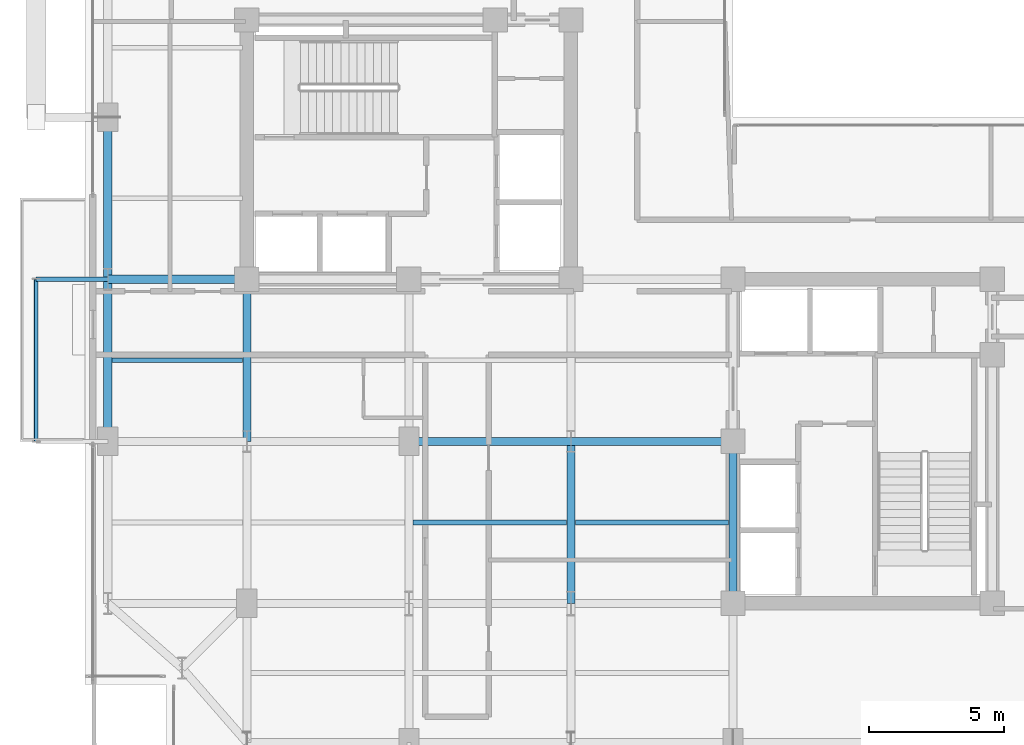
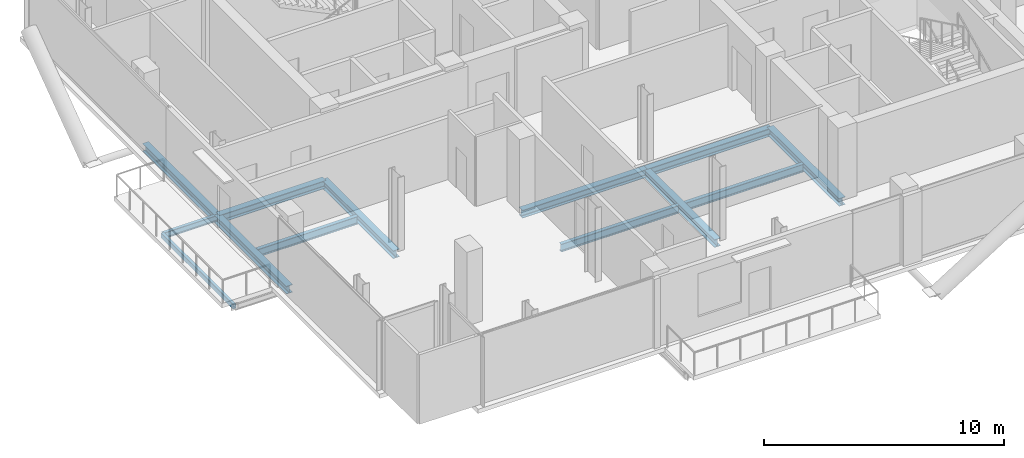
# One storey, part 6 of 21: 13 beams.
"""IFC4 building model written with IfcOpenShell, lengths in metres."""

from ifc_helpers import new_model, si_unit, direction, frame, origin, origin_2d, place, context, subcontext, project, spatial, hollow_rectangle, i_section, extrude, material, material_profile, profile_set, type_object, element, save


model = new_model("IFC4")

# Units and contexts
model_context = context("Model", 3, precision=1e-05, world=origin(), true_north=direction((0.0, 1.0)))
body_context = subcontext(model_context, "Body", "Model", "MODEL_VIEW")
ifc_project = project(units=[si_unit("LENGTHUNIT", "METRE"), si_unit("AREAUNIT", "SQUARE_METRE"), si_unit("VOLUMEUNIT", "CUBIC_METRE"), si_unit("PLANEANGLEUNIT", "RADIAN"), si_unit("MASSUNIT", "GRAM", prefix="KILO"), si_unit("THERMODYNAMICTEMPERATUREUNIT", "KELVIN"), si_unit("POWERUNIT", "WATT")], contexts=[model_context])

# Site, building, storey
site_placement = place(None, origin())
site = spatial("IfcSite", under=ifc_project, at=site_placement, CompositionType="ELEMENT")
building_placement = place(site_placement, origin())
building = spatial("IfcBuilding", under=site, at=building_placement, Name="Svarakhadi Broadcast Tower", CompositionType="ELEMENT")
storey_placement = place(building_placement, frame((0.0, 0.0, 223.64990234375)))
storey = spatial("IfcBuildingStorey", under=building, at=storey_placement, Name="L55", CompositionType="ELEMENT", Elevation=223.64990234375)

# Beams
ifc_material_1 = material(Name="Steel S355J2 (IS 2062 E350C)", Category="steel")
ifc_material_profile_1 = material_profile(ifc_material_1, i_section(OverallWidth=0.179931640625, OverallDepth=0.39990234375, WebThickness=0.008544921875, FlangeThickness=0.013427734375, FilletRadius=0.02099609375, at=origin_2d()), Name="NPB 400x180x66")
ifc_profile_set_1 = profile_set([ifc_material_profile_1], Name="Steel S355J2 (IS 2062 E350C)")
beam_type_1 = type_object("IfcBeamType", Name="Beam_NPB400", PredefinedType="BEAM", material=ifc_profile_set_1)
beam_1_placement = place(storey_placement, frame((1.010009765625, 15.0, -0.409912109375), z_axis=(1.0, 0.0, 0.0), x_axis=(0.0, 1.0, 0.0)))
element("IfcBeam", 1, at=beam_1_placement, inside=storey, type_object=beam_type_1, Name="L55 Secondary Composite Beam SB002", PredefinedType="BEAM", context=body_context, shape_type="SweptSolid", body=[
    extrude(i_section(OverallWidth=0.179931640625, OverallDepth=0.39990234375, WebThickness=0.008544921875, FlangeThickness=0.013427734375, FilletRadius=0.02099609375, at=origin_2d()), origin(), (0.0, 0.0, 1.0), 4.830078125),
])
for number, where, z_axis, x_axis, name in (
    (2, (12.159912109375, 9.0, -0.409912109375), (1.0, 0.0, 0.0), (0.0, 1.0, 0.0), "L55 Secondary Composite Beam SB010"),
    (3, (18.159912109375, 9.0, -0.409912109375), (1.0, 0.0, 0.0), (0.0, 1.0, 0.0), "L55 Secondary Composite Beam SB014"),
):
    element("IfcBeam", number, at=place(storey_placement, frame(where, z_axis=z_axis, x_axis=x_axis)), inside=storey, type_object=beam_type_1, Name=name, PredefinedType="BEAM", context=body_context, shape_type="SweptSolid", body=[
        extrude(i_section(OverallWidth=0.179931640625, OverallDepth=0.39990234375, WebThickness=0.008544921875, FlangeThickness=0.013427734375, FilletRadius=0.02099609375, at=origin_2d()), origin(), (0.0, 0.0, 1.0), 5.68017578125),
    ])
ifc_material_profile_2 = material_profile(ifc_material_1, i_section(OverallWidth=0.300048828125, OverallDepth=0.39990234375, WebThickness=0.013427734375, FlangeThickness=0.02392578125, FilletRadius=0.027099609375, at=origin_2d()), Name="WPB 400x300x155")
ifc_profile_set_2 = profile_set([ifc_material_profile_2], Name="Steel S355J2 (IS 2062 E350C)")
beam_type_2 = type_object("IfcBeamType", Name="Girder_WPB400", PredefinedType="USERDEFINED", material=ifc_profile_set_2)
for number, where, z_axis, x_axis, name in (
    (4, (12.0, 12.0, -0.409912109375), (1.0, 0.0, 0.0), (0.0, 1.0, 0.0), "L55 Primary E-W Girder G017"),
    (5, (18.0, 12.0, -0.409912109375), (1.0, 0.0, 0.0), (0.0, 1.0, 0.0), "L55 Primary E-W Girder G018"),
):
    element("IfcBeam", number, at=place(storey_placement, frame(where, z_axis=z_axis, x_axis=x_axis)), inside=storey, type_object=beam_type_2, Name=name, ObjectType="GIRDER", PredefinedType="USERDEFINED", context=body_context, shape_type="SweptSolid", body=[
        extrude(i_section(OverallWidth=0.300048828125, OverallDepth=0.39990234375, WebThickness=0.013427734375, FlangeThickness=0.02392578125, FilletRadius=0.027099609375, at=origin_2d()), origin(), (0.0, 0.0, 1.0), 6.0),
    ])
beam_2_placement = place(storey_placement, frame((0.85009765625, 18.0, -0.409912109375), z_axis=(1.0, 0.0, 0.0), x_axis=(0.0, 1.0, 0.0)))
element("IfcBeam", 6, at=beam_2_placement, inside=storey, type_object=beam_type_2, Name="L55 Primary E-W Girder G020", ObjectType="GIRDER", PredefinedType="USERDEFINED", context=body_context, shape_type="SweptSolid", body=[
    extrude(i_section(OverallWidth=0.300048828125, OverallDepth=0.39990234375, WebThickness=0.013427734375, FlangeThickness=0.02392578125, FilletRadius=0.027099609375, at=origin_2d()), origin(), (0.0, 0.0, 1.0), 5.14990234375),
])
for number, where, z_axis, x_axis, name in (
    (7, (0.85009765625, 12.0, -0.409912109375), (0.0, 1.0, 0.0), (-1.0, 0.0, 0.0), "L55 Primary N-S Girder G034"),
    (8, (0.85009765625, 18.0, -0.409912109375), (0.0, 1.0, 0.0), (-1.0, 0.0, 0.0), "L55 Primary N-S Girder G035"),
    (9, (6.0, 12.0, -0.409912109375), (0.0, 1.0, 0.0), (-1.0, 0.0, 0.0), "L55 Primary N-S Girder G039"),
    (10, (18.0, 6.0, -0.409912109375), (0.0, 1.0, 0.0), (-1.0, 0.0, 0.0), "L55 Primary N-S Girder G047"),
    (11, (24.0, 6.0, -0.409912109375), (0.0, 1.0, 0.0), (-1.0, 0.0, 0.0), "L55 Primary N-S Girder G052"),
):
    element("IfcBeam", number, at=place(storey_placement, frame(where, z_axis=z_axis, x_axis=x_axis)), inside=storey, type_object=beam_type_2, Name=name, ObjectType="GIRDER", PredefinedType="USERDEFINED", context=body_context, shape_type="SweptSolid", body=[
        extrude(i_section(OverallWidth=0.300048828125, OverallDepth=0.39990234375, WebThickness=0.013427734375, FlangeThickness=0.02392578125, FilletRadius=0.027099609375, at=origin_2d()), origin(), (0.0, 0.0, 1.0), 6.0),
    ])
ifc_material_profile_3 = material_profile(ifc_material_1, i_section(OverallWidth=0.14990234375, OverallDepth=0.300048828125, WebThickness=0.007080078125, FlangeThickness=0.0107421875, FilletRadius=0.014892578125, at=origin_2d()), Name="NPB 300x150x37")
ifc_profile_set_3 = profile_set([ifc_material_profile_3], Name="Steel S355J2 (IS 2062 E350C)")
beam_type_3 = type_object("IfcBeamType", Name="Spandrel_NPB300", PredefinedType="SPANDREL", material=ifc_profile_set_3)
beam_3_placement = place(storey_placement, frame((0.85009765625, 18.0, -0.375), z_axis=(-1.0, 0.0, 0.0), x_axis=(0.0, -1.0, 0.0)))
element("IfcBeam", 12, at=beam_3_placement, inside=storey, type_object=beam_type_3, Name="L55 Balcony Cantilever Bracket 2B", PredefinedType="SPANDREL", context=body_context, shape_type="SweptSolid", body=[
    extrude(i_section(OverallWidth=0.14990234375, OverallDepth=0.300048828125, WebThickness=0.007080078125, FlangeThickness=0.0107421875, FilletRadius=0.014892578125, at=origin_2d()), origin(), (0.0, 0.0, 1.0), 2.650146484375),
])
ifc_material_2 = material(Name="Steel S460ML (IS 2062 E450BR)", Category="steel")
ifc_material_profile_4 = material_profile(ifc_material_2, hollow_rectangle(XDim=0.14990234375, YDim=0.25, WallThickness=0.010009765625, InnerFilletRadius=0.010009765625, OuterFilletRadius=0.02001953125, at=origin_2d()), Name="RHS 250x150x10")
ifc_profile_set_4 = profile_set([ifc_material_profile_4], Name="Steel S460ML (IS 2062 E450BR)")
beam_type_4 = type_object("IfcBeamType", Name="Spandrel_RHS250", PredefinedType="SPANDREL", material=ifc_profile_set_4)
beam_4_placement = place(storey_placement, frame((-1.800048828125, 12.0, -0.349853515625), z_axis=(0.0, 1.0, 0.0), x_axis=(-1.0, 0.0, 0.0)))
element("IfcBeam", 13, at=beam_4_placement, inside=storey, type_object=beam_type_4, Name="L55 Balcony Outer Spandrel 2F", PredefinedType="SPANDREL", context=body_context, shape_type="SweptSolid", body=[
    extrude(hollow_rectangle(XDim=0.14990234375, YDim=0.25, WallThickness=0.010009765625, InnerFilletRadius=0.010009765625, OuterFilletRadius=0.02001953125, at=origin_2d()), origin(), (0.0, 0.0, 1.0), 6.0),
])

save(model, "model.ifc")
